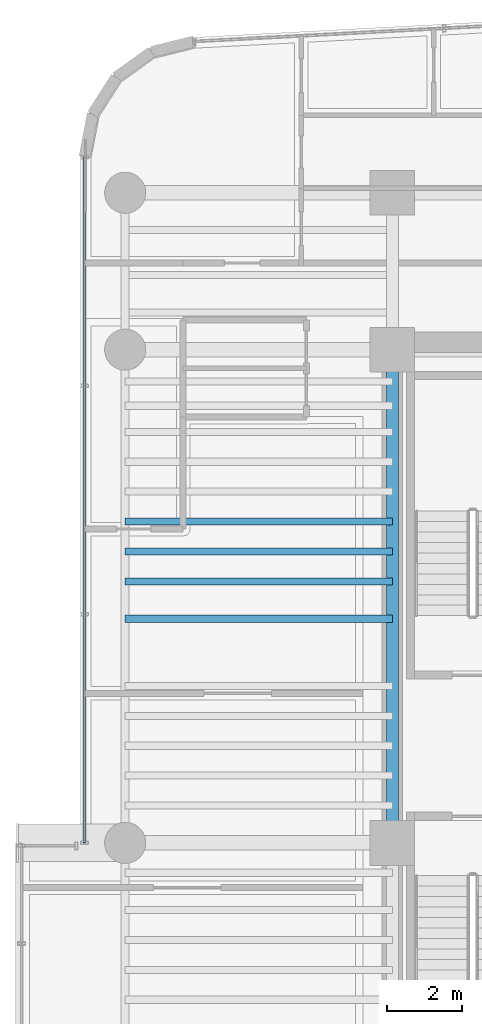
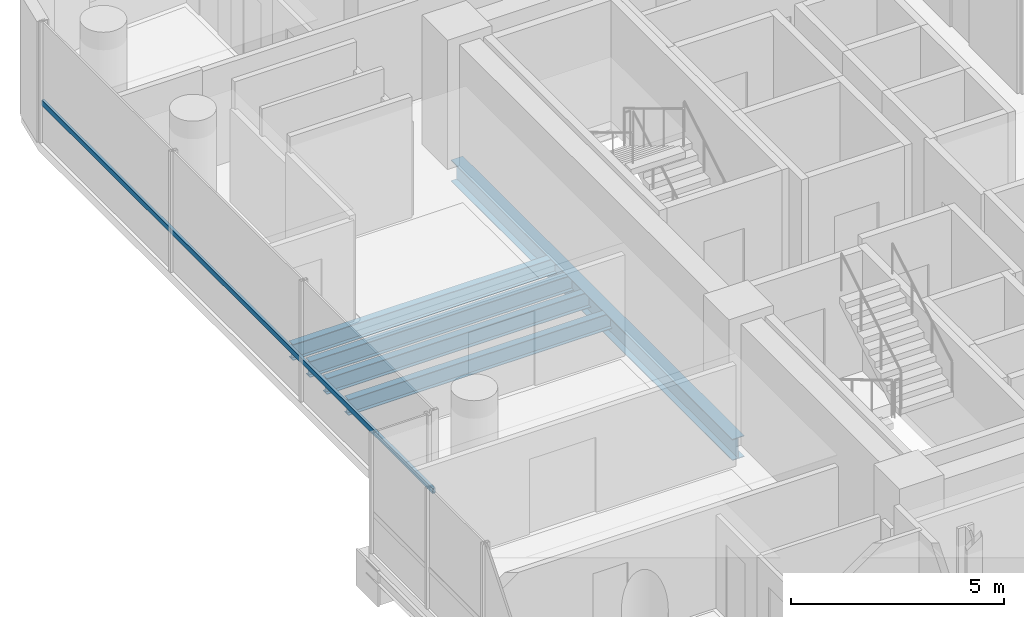
# One storey, part 9 of 34: 5 beams, 1 member, 1 element without a shape of its own.
"""IFC4 building model written with IfcOpenShell, lengths in metres."""

import ifcopenshell
import ifcopenshell.guid

model = None  # the IFC model being written
_history = None  # IfcOwnerHistory: only IFC2X3 demands one
_inside = {}  # id of a spatial element -> (the spatial element, [elements in it])
_under = {}  # id of a project, library or spatial element -> (it, [spatial elements below it])
_declared = {}  # id of a project -> (the project, [libraries it declares])
_typed = {}  # id of a type object -> (the type object, [elements of that type])
_made_of = {}  # id of a material, layer set ... -> (it, [elements and type objects made of it])


def new_model(schema):
    """Start an empty IFC model of exactly this schema.

    Asked for "IFC4X3", IfcOpenShell would pick the latest addendum, in which some entities
    have other attributes; the version numbers below select the first issue.
    IFC2X3 requires an IfcOwnerHistory on every rooted entity: one is made here for all.
    """
    global model, _history
    if schema == "IFC4X3":
        model = ifcopenshell.file(schema_version=(4, 3, 0, 0))
    else:
        model = ifcopenshell.file(schema=schema)
    _inside.clear()
    _under.clear()
    _declared.clear()
    _typed.clear()
    _made_of.clear()
    _history = None
    if model.schema == "IFC2X3":
        org = make("IfcOrganization", Name="unknown")
        user = make(
            "IfcPersonAndOrganization",
            ThePerson=make("IfcPerson", FamilyName="unknown"),
            TheOrganization=org,
        )
        app = make(
            "IfcApplication",
            ApplicationDeveloper=org,
            Version="unknown",
            ApplicationFullName="unknown",
            ApplicationIdentifier="unknown",
        )
        _history = make(
            "IfcOwnerHistory",
            OwningUser=user,
            OwningApplication=app,
            ChangeAction="ADDED",
            CreationDate=0,
        )
    return model


def make(cls, **values):
    """One entity of the class cls with the attributes given. An attribute that is None is left unset."""
    return model.create_entity(
        cls, **{name: value for name, value in values.items() if value is not None}
    )


def rooted(cls, **values):
    """An entity with a GlobalId (a new one), such as an element, a storey or a relation."""
    return make(cls, GlobalId=ifcopenshell.guid.new(), OwnerHistory=_history, **values)


def si_unit(unit_type, name, prefix=None):
    """IfcSIUnit, for example si_unit("LENGTHUNIT", "METRE", prefix="MILLI")."""
    return make("IfcSIUnit", UnitType=unit_type, Prefix=prefix, Name=name)


def assignment(units):
    """IfcUnitAssignment: the units of a project."""
    return None if units is None else make("IfcUnitAssignment", Units=units)


def point(xyz):
    """IfcCartesianPoint."""
    return None if xyz is None else make("IfcCartesianPoint", Coordinates=xyz)


def direction(xyz):
    """IfcDirection."""
    return None if xyz is None else make("IfcDirection", DirectionRatios=xyz)


def frame(location, z_axis=None, x_axis=None):
    """IfcAxis2Placement3D, a coordinate frame: its origin and axes. An axis left out is left unset."""
    return make(
        "IfcAxis2Placement3D",
        Location=point(location),
        Axis=direction(z_axis),
        RefDirection=direction(x_axis),
    )


def frame_2d(location, x_axis=None):
    """IfcAxis2Placement2D, a coordinate frame in the plane: its origin and x axis."""
    return make(
        "IfcAxis2Placement2D", Location=point(location), RefDirection=direction(x_axis)
    )


def origin():
    """The frame at (0, 0, 0) with its axes left unset."""
    return frame((0.0, 0.0, 0.0))


def origin_2d():
    """The frame at (0, 0) in the plane with its x axis left unset."""
    return frame_2d((0.0, 0.0))


def place(relative_to, where):
    """IfcLocalPlacement: puts the frame where relative to a parent placement (None: the world)."""
    return make(
        "IfcLocalPlacement", PlacementRelTo=relative_to, RelativePlacement=where
    )


def context(
    kind, dimensions, precision=None, world=None, true_north=None, identifier=None
):
    """IfcGeometricRepresentationContext, for example the 3D "Model" context."""
    return make(
        "IfcGeometricRepresentationContext",
        ContextIdentifier=identifier,
        ContextType=kind,
        CoordinateSpaceDimension=dimensions,
        Precision=precision,
        WorldCoordinateSystem=world,
        TrueNorth=true_north,
    )


def subcontext(parent, identifier, kind, view, scale=None):
    """IfcGeometricRepresentationSubContext, for example "Body" below "Model"."""
    return make(
        "IfcGeometricRepresentationSubContext",
        ContextIdentifier=identifier,
        ContextType=kind,
        ParentContext=parent,
        TargetScale=scale,
        TargetView=view,
    )


def project(units=None, contexts=None):
    """IfcProject with its units and contexts."""
    return rooted(
        "IfcProject",
        Name="project",
        RepresentationContexts=contexts,
        UnitsInContext=assignment(units),
    )


def spatial(cls, under=None, at=None, **own):
    """A site, building, storey or space (cls), placed at a placement, below another one or the project."""
    s = rooted(cls, ObjectPlacement=at, **own)
    if under is not None:
        _under.setdefault(under.id(), (under, []))[1].append(s)
    return s


def profile(cls, at=None, kind="AREA", **sizes):
    """A parametric profile (cls). Its sizes go by their IFC names, for example OverallWidth=200.0."""
    return make(cls, ProfileType=kind, Position=at, **sizes)


def hollow_rectangle(**sizes):
    """IfcRectangleHollowProfileDef."""
    return profile("IfcRectangleHollowProfileDef", **sizes)


def i_section(**sizes):
    """IfcIShapeProfileDef."""
    return profile("IfcIShapeProfileDef", **sizes)


def extrude(swept, where, along, depth):
    """IfcExtrudedAreaSolid: the profile swept, set in the frame where, extruded along a direction by depth."""
    return make(
        "IfcExtrudedAreaSolid",
        SweptArea=swept,
        Position=where,
        ExtrudedDirection=direction(along),
        Depth=depth,
    )


def shape(context_of_items, identifier, shape_type, items):
    """IfcShapeRepresentation: the items that make up one representation, for example the "Body"."""
    return make(
        "IfcShapeRepresentation",
        ContextOfItems=context_of_items,
        RepresentationIdentifier=identifier,
        RepresentationType=shape_type,
        Items=items,
    )


def source(mapping_origin, context_of_items, identifier, shape_type, items):
    """IfcRepresentationMap: a shape defined once, which mapped items show again and again."""
    return make(
        "IfcRepresentationMap",
        MappingOrigin=mapping_origin,
        MappedRepresentation=shape(context_of_items, identifier, shape_type, items),
    )


def transform(
    local_origin,
    x_axis=None,
    y_axis=None,
    z_axis=None,
    scale=None,
    scale2=None,
    scale3=None,
    uniform=True,
):
    """IfcCartesianTransformationOperator3D, or its non-uniform kind. x_axis, y_axis, z_axis: its Axis1, 2, 3."""
    if uniform:
        return make(
            "IfcCartesianTransformationOperator3D",
            Axis1=direction(x_axis),
            Axis2=direction(y_axis),
            LocalOrigin=point(local_origin),
            Scale=scale,
            Axis3=direction(z_axis),
        )
    return make(
        "IfcCartesianTransformationOperator3DnonUniform",
        Axis1=direction(x_axis),
        Axis2=direction(y_axis),
        LocalOrigin=point(local_origin),
        Scale=scale,
        Axis3=direction(z_axis),
        Scale2=scale2,
        Scale3=scale3,
    )


def mapped(mapping_source, mapping_target):
    """IfcMappedItem: shows the shape of a source again, moved by a transform."""
    return make(
        "IfcMappedItem", MappingSource=mapping_source, MappingTarget=mapping_target
    )


def material(Name=None, Category=None):
    """IfcMaterial."""
    return make("IfcMaterial", Name=Name, Category=Category)


def material_profile(
    of_material, cross_section, Name=None, Category=None, Priority=None
):
    """IfcMaterialProfile: a cross section and its material."""
    return make(
        "IfcMaterialProfile",
        Name=Name,
        Material=of_material,
        Profile=cross_section,
        Priority=Priority,
        Category=Category,
    )


def profile_set(profiles, Name=None, composite=None):
    """IfcMaterialProfileSet."""
    return make(
        "IfcMaterialProfileSet",
        Name=Name,
        MaterialProfiles=profiles,
        CompositeProfile=composite,
    )


def made_of(thing, what):
    """Note that an element or type object is made of a material, layer set ...; save() writes the relation."""
    if what is not None:
        _made_of.setdefault(what.id(), (what, []))[1].append(thing)
    return thing


def type_object(cls, material=None, **own):
    """A type object (cls), such as IfcWallType, which elements share."""
    return made_of(rooted(cls, **own), material)


def element(
    cls,
    number,
    at=None,
    inside=None,
    cuts=None,
    type_object=None,
    material=None,
    context=None,
    identifier="Body",
    shape_type=None,
    held_by="IfcProductDefinitionShape",
    body=None,
    shapes=None,
    **own,
):
    """One element of the class cls, such as IfcWall. Its Tag is "e" and its number.

    at: its placement. inside: the storey or other place that contains it. cuts: it is an
    opening in that element (IfcRelVoidsElement). A single representation is given by context,
    identifier, shape_type and body (its items); several are given by shapes. held_by: the class
    of the entity that holds the representations. save() writes the other relations.
    """
    e = rooted(cls, Tag="e%d" % number, ObjectPlacement=at, **own)
    if body is not None:
        shapes = [shape(context, identifier, shape_type, body)]
    if shapes is not None:
        e.Representation = make(held_by, Representations=shapes)
    if inside is not None:
        _inside.setdefault(inside.id(), (inside, []))[1].append(e)
    if cuts is not None:
        rooted(
            "IfcRelVoidsElement", RelatingBuildingElement=cuts, RelatedOpeningElement=e
        )
    if type_object is not None:
        _typed.setdefault(type_object.id(), (type_object, []))[1].append(e)
    return made_of(e, material)


def aggregate(whole, parts):
    """IfcRelAggregates: a whole, such as a stair, and the parts it consists of."""
    return rooted("IfcRelAggregates", RelatingObject=whole, RelatedObjects=parts)


def save(model, path):
    """Write the relations noted so far, then the file.

    IfcRelAggregates (storeys below a building ...), IfcRelContainedInSpatialStructure (elements
    in a storey), IfcRelDefinesByType, IfcRelAssociatesMaterial and IfcRelDeclares: one each for
    every whole, place, type object, material and project.
    """
    for whole, parts in _under.values():
        aggregate(whole, parts)
    for where, things in _inside.values():
        rooted(
            "IfcRelContainedInSpatialStructure",
            RelatedElements=things,
            RelatingStructure=where,
        )
    for kind, things in _typed.values():
        rooted("IfcRelDefinesByType", RelatedObjects=things, RelatingType=kind)
    for what, things in _made_of.values():
        rooted("IfcRelAssociatesMaterial", RelatedObjects=things, RelatingMaterial=what)
    for by, libraries in _declared.values():
        rooted("IfcRelDeclares", RelatingContext=by, RelatedDefinitions=libraries)
    model.write(path)


model = new_model("IFC4")

# Units and contexts
model_context = context("Model", 3, precision=1e-05, world=origin(), true_north=direction((0.0, 1.0)))
body_context = subcontext(model_context, "Body", "Model", "MODEL_VIEW")
ifc_project = project(units=[si_unit("LENGTHUNIT", "METRE"), si_unit("AREAUNIT", "SQUARE_METRE"), si_unit("VOLUMEUNIT", "CUBIC_METRE"), si_unit("PLANEANGLEUNIT", "RADIAN"), si_unit("MASSUNIT", "GRAM", prefix="KILO")], contexts=[model_context])

# Site, building, storey
site_placement = place(None, origin())
site = spatial("IfcSite", under=ifc_project, at=site_placement, CompositionType="ELEMENT")
building_placement = place(site_placement, origin())
building = spatial("IfcBuilding", under=site, at=building_placement, Name="Valdorenza Pilgrim Sanctuary Tower", CompositionType="ELEMENT")
storey_placement = place(building_placement, frame((0.0, 0.0, 164.89990234375)))
storey = spatial("IfcBuildingStorey", under=building, at=storey_placement, Name="L42", CompositionType="ELEMENT", Elevation=164.89990234375)

# Beams
ifc_material_1 = material(Name="Steel ASTM A992 Grade 50", Category="steel")
ifc_material_profile_1 = material_profile(ifc_material_1, i_section(OverallWidth=0.323974609375, OverallDepth=0.611083984375, WebThickness=0.0126953125, FlangeThickness=0.01904296875, at=origin_2d()), Name="W24X104")
ifc_profile_set_1 = profile_set([ifc_material_profile_1], Name="Steel ASTM A992 Grade 50")
beam_type_1 = type_object("IfcBeamType", Name="STR-BM-GRD-W24B", PredefinedType="BEAM", material=ifc_profile_set_1)
shared_shape_1 = source(origin(), body_context, "Body", "SweptSolid", [
    extrude(i_section(OverallWidth=0.323974609375, OverallDepth=0.611083984375, WebThickness=0.0126953125, FlangeThickness=0.01904296875, at=origin_2d()), origin(), (0.0, 0.0, 1.0), 13.2001953125),
])
beam_placement = place(storey_placement, frame((-22.64990234375, -2.60009765625, -0.54541015625), z_axis=(0.0, 1.0, 0.0), x_axis=(-1.0, 0.0, 0.0)))
element("IfcBeam", 1, at=beam_placement, inside=storey, type_object=beam_type_1, Name="L42 Core Tie Girder CA-W-M0N1", PredefinedType="BEAM", context=body_context, shape_type="MappedRepresentation", body=[
    mapped(shared_shape_1, transform((0.0, 0.0, 0.0), x_axis=(1.0, 0.0, 0.0), y_axis=(0.0, 1.0, 0.0), z_axis=(0.0, 0.0, 1.0), scale=1.0)),
])
ifc_material_profile_2 = material_profile(ifc_material_1, i_section(OverallWidth=0.19091796875, OverallDepth=0.45703125, WebThickness=0.009033203125, FlangeThickness=0.014404296875, at=origin_2d()), Name="W18X50")
ifc_profile_set_2 = profile_set([ifc_material_profile_2], Name="Steel ASTM A992 Grade 50")
beam_type_2 = type_object("IfcBeamType", Name="STR-BM-JST-W18B", PredefinedType="JOIST", material=ifc_profile_set_2)
shared_shape_2 = source(origin(), body_context, "Body", "SweptSolid", [
    extrude(i_section(OverallWidth=0.19091796875, OverallDepth=0.45703125, WebThickness=0.009033203125, FlangeThickness=0.014404296875, at=origin_2d()), origin(), (0.0, 0.0, 1.0), 7.150146484375),
])
for number, where, z_axis, x_axis, name in (
    (2, (-29.800048828125, 3.39990234375, -0.468505859375), (1.0, 0.0, 0.0), (0.0, 1.0, 0.0), "L42 Composite Floor Joist JST-WA-15"),
    (3, (-29.800048828125, 4.39990234375, -0.468505859375), (1.0, 0.0, 0.0), (0.0, 1.0, 0.0), "L42 Composite Floor Joist JST-WA-16"),
    (4, (-29.800048828125, 5.199951171875, -0.468505859375), (1.0, 0.0, 0.0), (0.0, 1.0, 0.0), "L42 Composite Floor Joist JST-WA-17"),
    (5, (-29.800048828125, 6.0, -0.468505859375), (1.0, 0.0, 0.0), (0.0, 1.0, 0.0), "L42 Composite Floor Joist JST-WA-18"),
):
    element("IfcBeam", number, at=place(storey_placement, frame(where, z_axis=z_axis, x_axis=x_axis)), inside=storey, type_object=beam_type_2, Name=name, PredefinedType="JOIST", context=body_context, shape_type="MappedRepresentation", body=[
        mapped(shared_shape_2, transform((0.0, 0.0, 0.0), x_axis=(1.0, 0.0, 0.0), y_axis=(0.0, 1.0, 0.0), z_axis=(0.0, 0.0, 1.0), scale=1.0)),
    ])

# Curtain wall, member
ifc_material_2 = material(Name="Curtain-wall IGU glazing", Category="glass")
curtain_wall_type = type_object("IfcCurtainWallType", Name="CW-SYS-02", PredefinedType="NOTDEFINED", material=ifc_material_2)
curtain_wall_placement = place(storey_placement, origin())
curtain_wall = element("IfcCurtainWall", 6, at=curtain_wall_placement, inside=storey, type_object=curtain_wall_type, Name="L42 Curtain Wall CW-L42-1-1S2", PredefinedType="NOTDEFINED")
ifc_material_3 = material(Name="Anodised aluminium AW-6060", Category="aluminium")
ifc_material_profile_3 = material_profile(ifc_material_3, hollow_rectangle(XDim=0.074951171875, YDim=0.14990234375, WallThickness=0.00390625, at=origin_2d()), Name="ALU-T 150x75x4")
ifc_profile_set_3 = profile_set([ifc_material_profile_3], Name="Anodised aluminium AW-6060")
member_type = type_object("IfcMemberType", Name="CW-TRN-02", PredefinedType="USERDEFINED", material=ifc_profile_set_3)
shared_shape_3 = source(origin(), body_context, "Body", "SweptSolid", [
    extrude(hollow_rectangle(XDim=0.074951171875, YDim=0.14990234375, WallThickness=0.00390625, at=origin_2d()), origin(), (0.0, 0.0, 1.0), 18.354248046875),
])
member_placement = place(storey_placement, frame((-30.889892578125, -2.60009765625, 1.1201171875), z_axis=(0.0, 1.0, 0.0), x_axis=(-1.0, 0.0, 0.0)))
member = element("IfcMember", 7, at=member_placement, type_object=member_type, Name="CW-L42-1-1S2 Transom 1", ObjectType="TRANSOM", PredefinedType="USERDEFINED", context=body_context, shape_type="MappedRepresentation", body=[
    mapped(shared_shape_3, transform((0.0, 0.0, 0.0), x_axis=(1.0, 0.0, 0.0), y_axis=(0.0, 1.0, 0.0), z_axis=(0.0, 0.0, 1.0), scale=1.0)),
])
aggregate(curtain_wall, [member])

save(model, "model.ifc")
